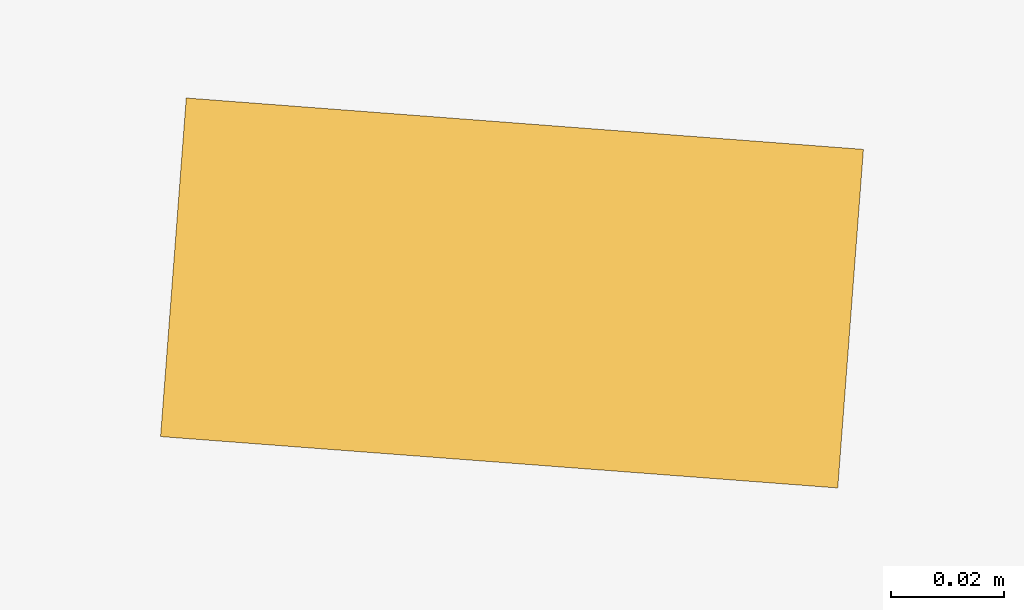
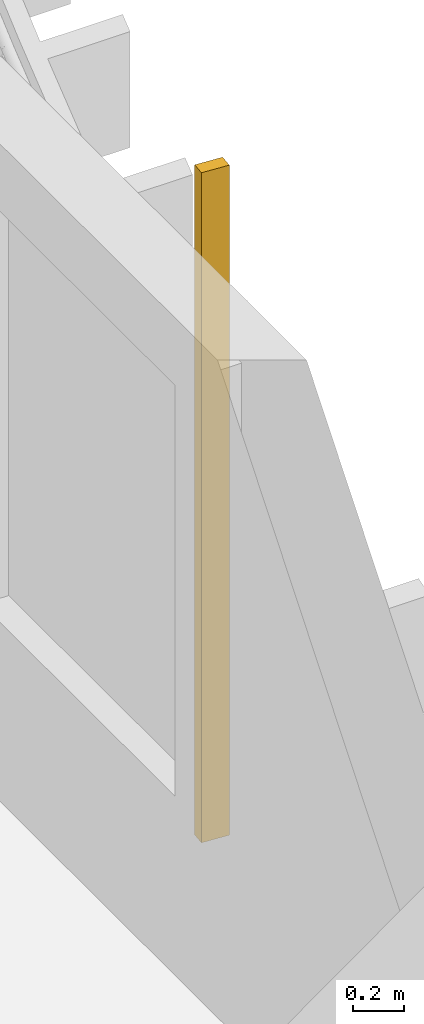
# One storey, part 19 of 21: 1 shading device.
"""IFC4 building model written with IfcOpenShell, lengths in metres."""

from ifc_helpers import new_model, si_unit, direction, frame, origin, origin_2d, place, context, subcontext, project, spatial, rectangle, extrude, source, transform, mapped, material, material_profile, profile_set, type_object, element, save


model = new_model("IFC4")

# Units and contexts
model_context = context("Model", 3, precision=1e-05, world=origin(), true_north=direction((0.0, 1.0)))
body_context = subcontext(model_context, "Body", "Model", "MODEL_VIEW")
ifc_project = project(units=[si_unit("LENGTHUNIT", "METRE"), si_unit("AREAUNIT", "SQUARE_METRE"), si_unit("VOLUMEUNIT", "CUBIC_METRE"), si_unit("PLANEANGLEUNIT", "RADIAN"), si_unit("MASSUNIT", "GRAM", prefix="KILO")], contexts=[model_context])

# Site, building, storey
site_placement = place(None, origin())
site = spatial("IfcSite", under=ifc_project, at=site_placement, CompositionType="ELEMENT")
building_placement = place(site_placement, origin())
building = spatial("IfcBuilding", under=site, at=building_placement, Name="Kilnfold Tower and Market Hall", CompositionType="ELEMENT")
storey_placement = place(building_placement, frame((0.0, 0.0, 216.89990234375)))
storey = spatial("IfcBuildingStorey", under=building, at=storey_placement, Name="L53", CompositionType="ELEMENT", Elevation=216.89990234375)

# Shading device
ifc_material = material(Name="Terracotta", Category="masonry")
ifc_material_profile = material_profile(ifc_material, rectangle(XDim=0.06005859375, YDim=0.1201171875, at=origin_2d()), Name="BAG 60x120")
ifc_profile_set = profile_set([ifc_material_profile], Name="Terracotta")
shading_device_type = type_object("IfcShadingDeviceType", Name="BAGUETTE", PredefinedType="USERDEFINED", material=ifc_profile_set)
shared_shape = source(origin(), body_context, "Body", "SweptSolid", [
    extrude(rectangle(XDim=0.06005859375, YDim=0.1201171875, at=origin_2d()), origin(), (0.0, 0.0, 1.0), 3.18017578125),
])
shading_device_placement = place(storey_placement, frame((31.550048828125, 2.3125, 0.0), z_axis=(0.0, 0.0, 1.0), x_axis=(0.075680096024, 0.997132149249, 0.0)))
element("IfcShadingDevice", 1, at=shading_device_placement, inside=storey, type_object=shading_device_type, Name="Terracotta baguette L53 E", ObjectType="BAGUETTE", PredefinedType="USERDEFINED", context=body_context, shape_type="MappedRepresentation", body=[
    mapped(shared_shape, transform((0.0, 0.0, 0.0))),
])

save(model, "model.ifc")
